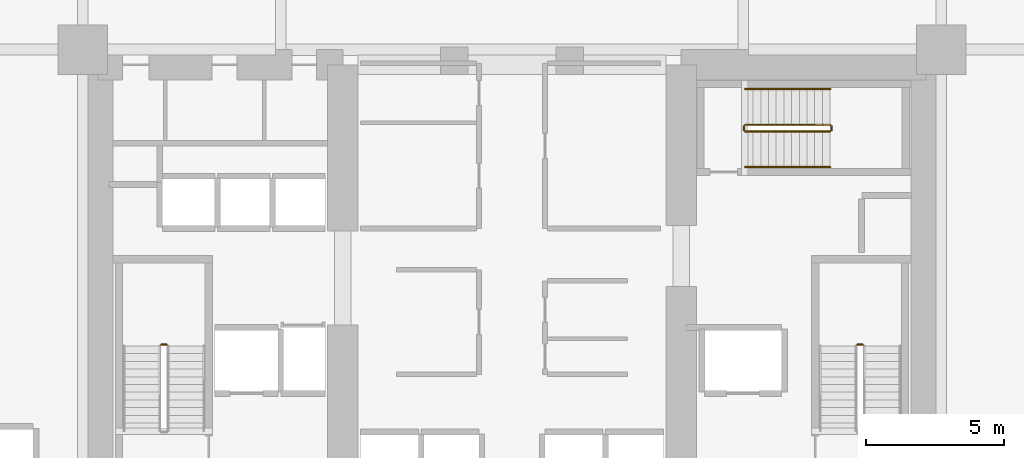
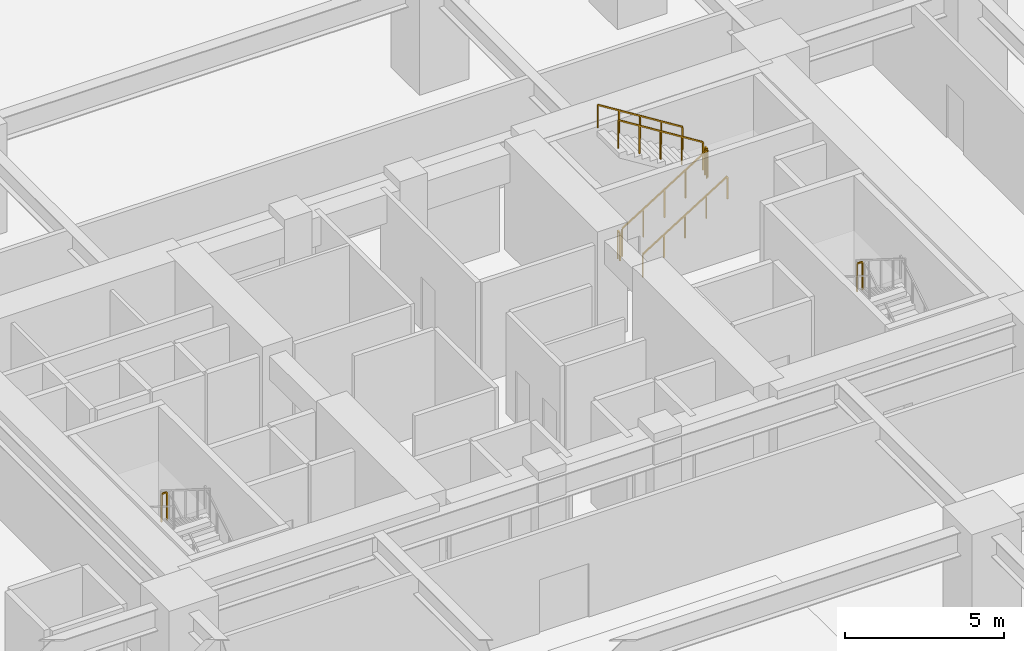
# One storey, part 19 of 22: 8 railings.
"""IFC4 building model written with IfcOpenShell, lengths in metres."""

from ifc_helpers import new_model, si_unit, direction, frame, origin, origin_2d, place, context, subcontext, project, spatial, rectangle, extrude, material, type_object, element, save


model = new_model("IFC4")

# Units and contexts
model_context = context("Model", 3, precision=1e-05, world=origin(), true_north=direction((0.0, 1.0)))
body_context = subcontext(model_context, "Body", "Model", "MODEL_VIEW")
ifc_project = project(units=[si_unit("LENGTHUNIT", "METRE"), si_unit("AREAUNIT", "SQUARE_METRE"), si_unit("VOLUMEUNIT", "CUBIC_METRE"), si_unit("PLANEANGLEUNIT", "RADIAN"), si_unit("MASSUNIT", "GRAM", prefix="KILO")], contexts=[model_context])

# Site, building, storey
site_placement = place(None, origin())
site = spatial("IfcSite", under=ifc_project, at=site_placement, CompositionType="ELEMENT")
building_placement = place(site_placement, origin())
building = spatial("IfcBuilding", under=site, at=building_placement, Name="Kiyonajd Concourse Tower", CompositionType="ELEMENT")
storey_placement = place(building_placement, frame((0.0, 0.0, 8.699951171875)))
storey = spatial("IfcBuildingStorey", under=building, at=storey_placement, Name="L03", CompositionType="ELEMENT", Elevation=8.699951171875)

# Railings
ifc_material_1 = material(Name="Steel ASTM A500 Grade C", Category="steel")
railing_type_1 = type_object("IfcRailingType", Name="RL-GRD-STR", PredefinedType="GUARDRAIL", material=ifc_material_1)
for number, where, name in (
    (1, (35.449951171875, 33.679931640625, 2.10009765625), "L03 ST1 stair guard 2"),
    (2, (60.75, 33.679931640625, 2.10009765625), "L03 ST2 stair guard 2"),
):
    element("IfcRailing", number, at=place(storey_placement, frame(where)), inside=storey, type_object=railing_type_1, Name=name, PredefinedType="GUARDRAIL", context=body_context, shape_type="SweptSolid", body=[
        extrude(rectangle(XDim=0.048095703125, YDim=0.048095703125, at=origin_2d()), frame((0.0, 0.0, 1.076171875), z_axis=(-1.0, 0.0, 0.0), x_axis=(0.0, -1.0, 0.0)), (0.0, 0.0, 1.0), 0.199951171875),
        extrude(rectangle(XDim=0.0419921875, YDim=0.0419921875, at=origin_2d()), origin(), (0.0, 0.0, 1.0), 1.052001953125),
        extrude(rectangle(XDim=0.0419921875, YDim=0.0419921875, at=origin_2d()), frame((-0.199951171875, 0.0, 0.0)), (0.0, 0.0, 1.0), 1.052001953125),
    ])
railing_1_placement = place(storey_placement, frame((56.47998046875, 41.429931640625, 0.175048828125)))
element("IfcRailing", 3, at=railing_1_placement, inside=storey, type_object=railing_type_1, Name="L03 ST3 stair guard 1", PredefinedType="GUARDRAIL", context=body_context, shape_type="SweptSolid", body=[
    extrude(rectangle(XDim=0.048095703125, YDim=0.048095703125, at=origin_2d()), frame((0.0, 0.0, 1.076171875), z_axis=(0.847998304005, 0.0, 0.529998940003), x_axis=(0.0, 1.0, 0.0)), (0.0, 0.0, 1.0), 3.632080078125),
    extrude(rectangle(XDim=0.0419921875, YDim=0.0419921875, at=origin_2d()), origin(), (0.0, 0.0, 1.0), 1.052001953125),
    extrude(rectangle(XDim=0.0419921875, YDim=0.0419921875, at=origin_2d()), frame((0.77001953125, 0.0, 0.481201171875)), (0.0, 0.0, 1.0), 1.052001953125),
    extrude(rectangle(XDim=0.0419921875, YDim=0.0419921875, at=origin_2d()), frame((1.5400390625, 0.0, 0.96240234375)), (0.0, 0.0, 1.0), 1.052001953125),
    extrude(rectangle(XDim=0.0419921875, YDim=0.0419921875, at=origin_2d()), frame((2.31005859375, 0.0, 1.44384765625)), (0.0, 0.0, 1.0), 1.052001953125),
    extrude(rectangle(XDim=0.0419921875, YDim=0.0419921875, at=origin_2d()), frame((3.080078125, 0.0, 1.925048828125)), (0.0, 0.0, 1.0), 1.052001953125),
])
railing_2_placement = place(storey_placement, frame((59.610107421875, 41.47998046875, 2.10009765625)))
element("IfcRailing", 4, at=railing_2_placement, inside=storey, type_object=railing_type_1, Name="L03 ST3 stair guard 2", PredefinedType="GUARDRAIL", context=body_context, shape_type="SweptSolid", body=[
    extrude(rectangle(XDim=0.048095703125, YDim=0.048095703125, at=origin_2d()), frame((0.0, 0.0, 1.076171875), z_axis=(0.0, 1.0, 0.0), x_axis=(-1.0, 0.0, 0.0)), (0.0, 0.0, 1.0), 0.14013671875),
    extrude(rectangle(XDim=0.0419921875, YDim=0.0419921875, at=origin_2d()), origin(), (0.0, 0.0, 1.0), 1.052001953125),
    extrude(rectangle(XDim=0.0419921875, YDim=0.0419921875, at=origin_2d()), frame((0.0, 0.14013671875, 0.0)), (0.0, 0.0, 1.0), 1.052001953125),
])
railing_3_placement = place(storey_placement, frame((59.56005859375, 41.669921875, 2.275146484375)))
element("IfcRailing", 5, at=railing_3_placement, inside=storey, type_object=railing_type_1, Name="L03 ST3 stair guard 3", PredefinedType="GUARDRAIL", context=body_context, shape_type="SweptSolid", body=[
    extrude(rectangle(XDim=0.048095703125, YDim=0.048095703125, at=origin_2d()), frame((0.0, 0.0, 1.076171875), z_axis=(-0.848028513186, 0.0, 0.529950602248), x_axis=(0.0, -1.0, 0.0)), (0.0, 0.0, 1.0), 3.632080078125),
    extrude(rectangle(XDim=0.0419921875, YDim=0.0419921875, at=origin_2d()), origin(), (0.0, 0.0, 1.0), 1.052001953125),
    extrude(rectangle(XDim=0.0419921875, YDim=0.0419921875, at=origin_2d()), frame((-0.77001953125, 0.0, 0.481201171875)), (0.0, 0.0, 1.0), 1.052001953125),
    extrude(rectangle(XDim=0.0419921875, YDim=0.0419921875, at=origin_2d()), frame((-1.5400390625, 0.0, 0.96240234375)), (0.0, 0.0, 1.0), 1.052001953125),
    extrude(rectangle(XDim=0.0419921875, YDim=0.0419921875, at=origin_2d()), frame((-2.31005859375, 0.0, 1.443603515625)), (0.0, 0.0, 1.0), 1.052001953125),
    extrude(rectangle(XDim=0.0419921875, YDim=0.0419921875, at=origin_2d()), frame((-3.080078125, 0.0, 1.9248046875)), (0.0, 0.0, 1.0), 1.052001953125),
])
railing_4_placement = place(storey_placement, frame((56.429931640625, 41.47998046875, 0.0)))
element("IfcRailing", 6, at=railing_4_placement, inside=storey, type_object=railing_type_1, Name="L03 ST3 stair guard 4", PredefinedType="GUARDRAIL", context=body_context, shape_type="SweptSolid", body=[
    extrude(rectangle(XDim=0.048095703125, YDim=0.048095703125, at=origin_2d()), frame((0.0, 0.0, 1.076171875), z_axis=(0.0, 1.0, 0.0), x_axis=(-1.0, 0.0, 0.0)), (0.0, 0.0, 1.0), 0.14013671875),
    extrude(rectangle(XDim=0.0419921875, YDim=0.0419921875, at=origin_2d()), origin(), (0.0, 0.0, 1.0), 1.052001953125),
    extrude(rectangle(XDim=0.0419921875, YDim=0.0419921875, at=origin_2d()), frame((0.0, 0.14013671875, 0.0)), (0.0, 0.0, 1.0), 1.052001953125),
])
ifc_material_2 = material(Name="Brushed Stainless Steel Cab Assembly", Category="steel")
railing_type_2 = type_object("IfcRailingType", Name="RL-HND-900", PredefinedType="HANDRAIL", material=ifc_material_2)
railing_5_placement = place(storey_placement, frame((56.47998046875, 40.1298828125, 0.175048828125)))
element("IfcRailing", 7, at=railing_5_placement, inside=storey, type_object=railing_type_2, Name="L03 ST3 stair handrail 1", PredefinedType="HANDRAIL", context=body_context, shape_type="SweptSolid", body=[
    extrude(rectangle(XDim=0.048095703125, YDim=0.048095703125, at=origin_2d()), frame((0.0, 0.0, 0.8759765625), z_axis=(0.847998304005, 0.0, 0.529998940003), x_axis=(0.0, 1.0, 0.0)), (0.0, 0.0, 1.0), 3.632080078125),
    extrude(rectangle(XDim=0.0419921875, YDim=0.0419921875, at=origin_2d()), origin(), (0.0, 0.0, 1.0), 0.851806640625),
    extrude(rectangle(XDim=0.0419921875, YDim=0.0419921875, at=origin_2d()), frame((0.77001953125, 0.0, 0.481201171875)), (0.0, 0.0, 1.0), 0.851806640625),
    extrude(rectangle(XDim=0.0419921875, YDim=0.0419921875, at=origin_2d()), frame((1.5400390625, 0.0, 0.96240234375)), (0.0, 0.0, 1.0), 0.851806640625),
    extrude(rectangle(XDim=0.0419921875, YDim=0.0419921875, at=origin_2d()), frame((2.31005859375, 0.0, 1.44384765625)), (0.0, 0.0, 1.0), 0.851806640625),
    extrude(rectangle(XDim=0.0419921875, YDim=0.0419921875, at=origin_2d()), frame((3.080078125, 0.0, 1.925048828125)), (0.0, 0.0, 1.0), 0.851806640625),
])
railing_6_placement = place(storey_placement, frame((59.56005859375, 42.969970703125, 2.275146484375)))
element("IfcRailing", 8, at=railing_6_placement, inside=storey, type_object=railing_type_2, Name="L03 ST3 stair handrail 2", PredefinedType="HANDRAIL", context=body_context, shape_type="SweptSolid", body=[
    extrude(rectangle(XDim=0.048095703125, YDim=0.048095703125, at=origin_2d()), frame((0.0, 0.0, 0.8759765625), z_axis=(-0.848028513186, 0.0, 0.529950602248), x_axis=(0.0, -1.0, 0.0)), (0.0, 0.0, 1.0), 3.632080078125),
    extrude(rectangle(XDim=0.0419921875, YDim=0.0419921875, at=origin_2d()), origin(), (0.0, 0.0, 1.0), 0.851806640625),
    extrude(rectangle(XDim=0.0419921875, YDim=0.0419921875, at=origin_2d()), frame((-0.77001953125, 0.0, 0.481201171875)), (0.0, 0.0, 1.0), 0.851806640625),
    extrude(rectangle(XDim=0.0419921875, YDim=0.0419921875, at=origin_2d()), frame((-1.5400390625, 0.0, 0.96240234375)), (0.0, 0.0, 1.0), 0.851806640625),
    extrude(rectangle(XDim=0.0419921875, YDim=0.0419921875, at=origin_2d()), frame((-2.31005859375, 0.0, 1.443603515625)), (0.0, 0.0, 1.0), 0.851806640625),
    extrude(rectangle(XDim=0.0419921875, YDim=0.0419921875, at=origin_2d()), frame((-3.080078125, 0.0, 1.9248046875)), (0.0, 0.0, 1.0), 0.851806640625),
])

save(model, "model.ifc")
